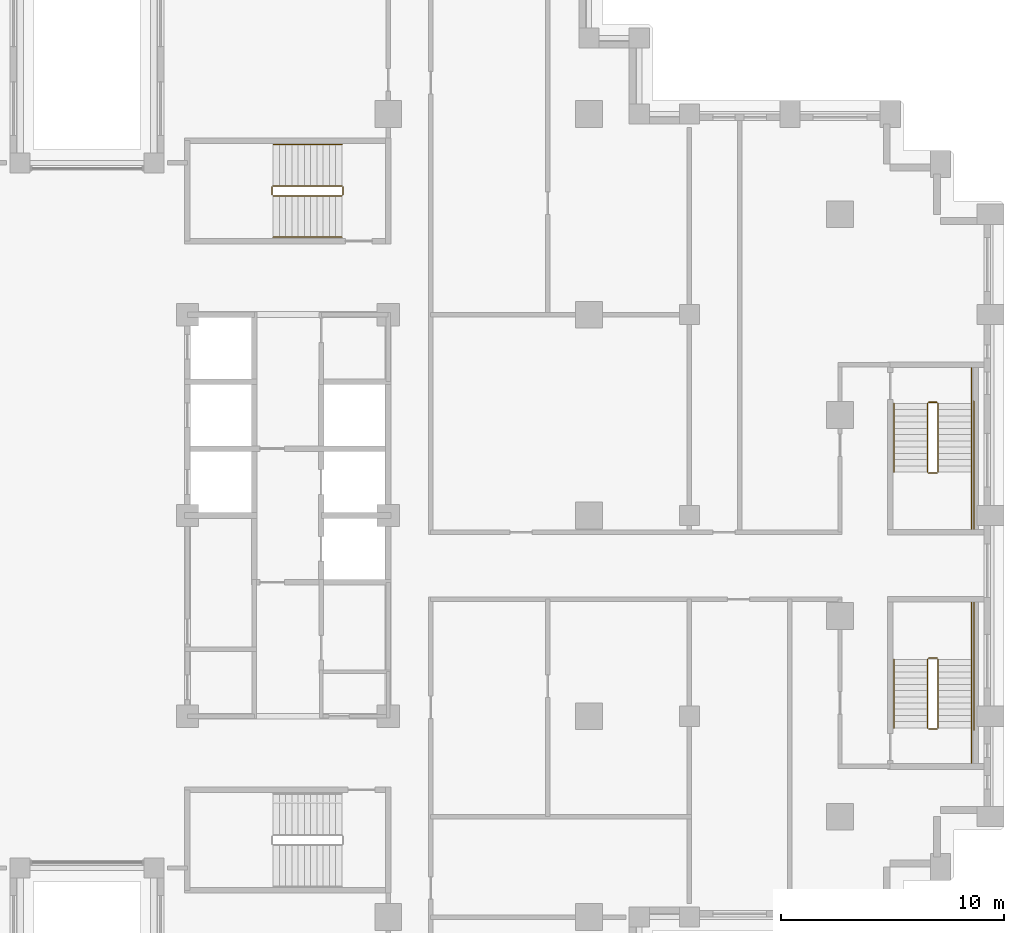
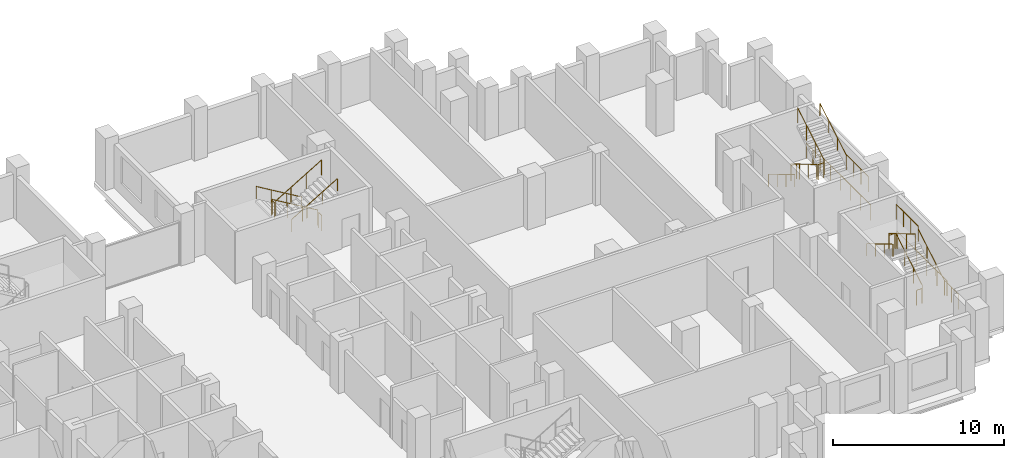
# One storey, part 16 of 16: 3 railings.
"""IFC4 building model written with IfcOpenShell, lengths in metres."""

from ifc_helpers import new_model, si_unit, direction, frame, origin, origin_2d, place, context, subcontext, project, spatial, circle, extrude, material, type_object, element, save


model = new_model("IFC4")

# Units and contexts
model_context = context("Model", 3, precision=1e-05, world=origin(), true_north=direction((0.0, 1.0)))
body_context = subcontext(model_context, "Body", "Model", "MODEL_VIEW")
ifc_project = project(units=[si_unit("LENGTHUNIT", "METRE"), si_unit("AREAUNIT", "SQUARE_METRE"), si_unit("VOLUMEUNIT", "CUBIC_METRE"), si_unit("PLANEANGLEUNIT", "RADIAN"), si_unit("MASSUNIT", "GRAM", prefix="KILO")], contexts=[model_context])

# Site, building, storey
site_placement = place(None, origin())
site = spatial("IfcSite", under=ifc_project, at=site_placement, CompositionType="ELEMENT")
building_placement = place(site_placement, origin())
building = spatial("IfcBuilding", under=site, at=building_placement, Name="Corbelhall Arena Tower", CompositionType="ELEMENT")
storey_placement = place(building_placement, frame((0.0, 0.0, 104.0)))
storey = spatial("IfcBuildingStorey", under=building, at=storey_placement, Name="L18", CompositionType="ELEMENT", Elevation=104.0)

# Railings
ifc_material = material(Name="Steel ASTM A500 Gr C", Category="steel")
railing_type = type_object("IfcRailingType", Name="IN-GD-1100", PredefinedType="GUARDRAIL", material=ifc_material)
railing_1_placement = place(storey_placement, frame((11.425048828125, 14.77490234375, 0.166748046875)))
element("IfcRailing", 1, at=railing_1_placement, inside=storey, type_object=railing_type, Name="L18 ST3 stair guards and handrails", PredefinedType="GUARDRAIL", context=body_context, shape_type="SweptSolid", body=[
    extrude(circle(Radius=0.02392578125, at=origin_2d()), frame((0.0, 0.0, 1.076171875), z_axis=(-0.859308565015, 0.0, 0.511457515432), x_axis=(0.0, -1.0, 0.0)), (0.0, 0.0, 1.0), 3.58447265625),
    extrude(circle(Radius=0.02392578125, at=origin_2d()), frame((-3.130126953125, -0.0498046875, 2.9091796875), z_axis=(0.0, -1.0, 0.0), x_axis=(1.0, 0.0, 0.0)), (0.0, 0.0, 1.0), 0.35009765625),
    extrude(circle(Radius=0.02392578125, at=origin_2d()), frame((-3.080078125, -0.449951171875, 3.076171875), z_axis=(0.859308565015, 0.0, 0.511457515432), x_axis=(0.0, 1.0, 0.0)), (0.0, 0.0, 1.0), 3.58447265625),
    extrude(circle(Radius=0.02392578125, at=origin_2d()), frame((0.050048828125, -0.0498046875, 0.9091796875), z_axis=(0.0, -1.0, 0.0), x_axis=(1.0, 0.0, 0.0)), (0.0, 0.0, 1.0), 0.35009765625),
    extrude(circle(Radius=0.02392578125, at=origin_2d()), frame((0.0, 1.85009765625, 0.8759765625), z_axis=(-0.859308565015, 0.0, 0.511457515432), x_axis=(0.0, -1.0, 0.0)), (0.0, 0.0, 1.0), 3.58447265625),
    extrude(circle(Radius=0.02392578125, at=origin_2d()), frame((-3.080078125, -2.2998046875, 2.8759765625), z_axis=(0.859308565015, 0.0, 0.511457515432), x_axis=(0.0, 1.0, 0.0)), (0.0, 0.0, 1.0), 3.58447265625),
    extrude(circle(Radius=0.02099609375, at=origin_2d()), origin(), (0.0, 0.0, 1.0), 1.052001953125),
    extrude(circle(Radius=0.02099609375, at=origin_2d()), frame((-1.026611328125, 0.0, 0.611083984375)), (0.0, 0.0, 1.0), 1.052001953125),
    extrude(circle(Radius=0.02099609375, at=origin_2d()), frame((-2.053466796875, 0.0, 1.22216796875)), (0.0, 0.0, 1.0), 1.052001953125),
    extrude(circle(Radius=0.02099609375, at=origin_2d()), frame((-3.080078125, 0.0, 1.833251953125)), (0.0, 0.0, 1.0), 1.052001953125),
    extrude(circle(Radius=0.02099609375, at=origin_2d()), frame((-3.130126953125, -0.0498046875, 1.833251953125)), (0.0, 0.0, 1.0), 1.052001953125),
    extrude(circle(Radius=0.02099609375, at=origin_2d()), frame((-3.130126953125, -0.39990234375, 1.833251953125)), (0.0, 0.0, 1.0), 1.052001953125),
    extrude(circle(Radius=0.02099609375, at=origin_2d()), frame((-3.080078125, -0.449951171875, 2.0)), (0.0, 0.0, 1.0), 1.052001953125),
    extrude(circle(Radius=0.02099609375, at=origin_2d()), frame((-2.053466796875, -0.449951171875, 2.611083984375)), (0.0, 0.0, 1.0), 1.052001953125),
    extrude(circle(Radius=0.02099609375, at=origin_2d()), frame((-1.026611328125, -0.449951171875, 3.22216796875)), (0.0, 0.0, 1.0), 1.052001953125),
    extrude(circle(Radius=0.02099609375, at=origin_2d()), frame((0.0, -0.449951171875, 3.833251953125)), (0.0, 0.0, 1.0), 1.052001953125),
    extrude(circle(Radius=0.02099609375, at=origin_2d()), frame((0.050048828125, -0.0498046875, -0.166748046875)), (0.0, 0.0, 1.0), 1.052001953125),
    extrude(circle(Radius=0.02099609375, at=origin_2d()), frame((0.050048828125, -0.39990234375, -0.166748046875)), (0.0, 0.0, 1.0), 1.052001953125),
    extrude(circle(Radius=0.02099609375, at=origin_2d()), frame((0.0, 1.85009765625, 0.0)), (0.0, 0.0, 1.0), 0.851806640625),
    extrude(circle(Radius=0.02099609375, at=origin_2d()), frame((-1.026611328125, 1.85009765625, 0.611083984375)), (0.0, 0.0, 1.0), 0.851806640625),
    extrude(circle(Radius=0.02099609375, at=origin_2d()), frame((-2.053466796875, 1.85009765625, 1.22216796875)), (0.0, 0.0, 1.0), 0.851806640625),
    extrude(circle(Radius=0.02099609375, at=origin_2d()), frame((-3.080078125, 1.85009765625, 1.833251953125)), (0.0, 0.0, 1.0), 0.851806640625),
    extrude(circle(Radius=0.02099609375, at=origin_2d()), frame((-3.080078125, -2.2998046875, 2.0)), (0.0, 0.0, 1.0), 0.851806640625),
    extrude(circle(Radius=0.02099609375, at=origin_2d()), frame((-2.053466796875, -2.2998046875, 2.611083984375)), (0.0, 0.0, 1.0), 0.851806640625),
    extrude(circle(Radius=0.02099609375, at=origin_2d()), frame((-1.026611328125, -2.2998046875, 3.22216796875)), (0.0, 0.0, 1.0), 0.851806640625),
    extrude(circle(Radius=0.02099609375, at=origin_2d()), frame((0.0, -2.2998046875, 3.833251953125)), (0.0, 0.0, 1.0), 0.851806640625),
])
railing_2_placement = place(storey_placement, frame((38.14990234375, -9.52490234375, 0.166748046875)))
element("IfcRailing", 2, at=railing_2_placement, inside=storey, type_object=railing_type, Name="L18 SD1 stair guards and handrails", PredefinedType="GUARDRAIL", context=body_context, shape_type="SweptSolid", body=[
    extrude(circle(Radius=0.02392578125, at=origin_2d()), frame((0.0, 0.0, 1.076171875), z_axis=(0.0, 0.859290745958, 0.51148745235), x_axis=(-1.0, 0.0, 0.0)), (0.0, 0.0, 1.0), 3.584228515625),
    extrude(circle(Radius=0.02392578125, at=origin_2d()), frame((-0.0498046875, 3.1298828125, 2.9091796875), z_axis=(-1.0, 0.0, 0.0), x_axis=(0.0, -1.0, 0.0)), (0.0, 0.0, 1.0), 0.375),
    extrude(circle(Radius=0.02392578125, at=origin_2d()), frame((1.5, 3.079833984375, 2.9091796875), z_axis=(0.0, 1.0, 0.0), x_axis=(-1.0, 0.0, 0.0)), (0.0, 0.0, 1.0), 2.570068359375),
    extrude(circle(Radius=0.02392578125, at=origin_2d()), frame((-0.474853515625, 3.079833984375, 3.076171875), z_axis=(0.0, -0.859290745958, 0.51148745235), x_axis=(1.0, 0.0, 0.0)), (0.0, 0.0, 1.0), 3.584228515625),
    extrude(circle(Radius=0.02392578125, at=origin_2d()), frame((-0.0498046875, -0.050048828125, 0.9091796875), z_axis=(-1.0, 0.0, 0.0), x_axis=(0.0, -1.0, 0.0)), (0.0, 0.0, 1.0), 0.375),
    extrude(circle(Radius=0.02392578125, at=origin_2d()), frame((1.5, -1.60009765625, 0.9091796875), z_axis=(0.0, 1.0, 0.0), x_axis=(-1.0, 0.0, 0.0)), (0.0, 0.0, 1.0), 1.60009765625),
    extrude(circle(Radius=0.02392578125, at=origin_2d()), frame((1.60009765625, -0.10009765625, 0.9091796875), z_axis=(0.0, 1.0, 0.0), x_axis=(-1.0, 0.0, 0.0)), (0.0, 0.0, 1.0), 5.85009765625),
    extrude(circle(Radius=0.02392578125, at=origin_2d()), frame((1.5, 0.0, 0.8759765625), z_axis=(0.0, 0.859290745958, 0.51148745235), x_axis=(-1.0, 0.0, 0.0)), (0.0, 0.0, 1.0), 3.584228515625),
    extrude(circle(Radius=0.02392578125, at=origin_2d()), frame((-1.974853515625, 3.079833984375, 2.8759765625), z_axis=(0.0, -0.859290745958, 0.51148745235), x_axis=(1.0, 0.0, 0.0)), (0.0, 0.0, 1.0), 3.584228515625),
    extrude(circle(Radius=0.02099609375, at=origin_2d()), origin(), (0.0, 0.0, 1.0), 1.052001953125),
    extrude(circle(Radius=0.02099609375, at=origin_2d()), frame((0.0, 1.026611328125, 0.611083984375)), (0.0, 0.0, 1.0), 1.052001953125),
    extrude(circle(Radius=0.02099609375, at=origin_2d()), frame((0.0, 2.05322265625, 1.22216796875)), (0.0, 0.0, 1.0), 1.052001953125),
    extrude(circle(Radius=0.02099609375, at=origin_2d()), frame((0.0, 3.079833984375, 1.833251953125)), (0.0, 0.0, 1.0), 1.052001953125),
    extrude(circle(Radius=0.02099609375, at=origin_2d()), frame((-0.0498046875, 3.1298828125, 1.833251953125)), (0.0, 0.0, 1.0), 1.052001953125),
    extrude(circle(Radius=0.02099609375, at=origin_2d()), frame((-0.4248046875, 3.1298828125, 1.833251953125)), (0.0, 0.0, 1.0), 1.052001953125),
    extrude(circle(Radius=0.02099609375, at=origin_2d()), frame((1.5, 3.079833984375, 1.833251953125)), (0.0, 0.0, 1.0), 1.052001953125),
    extrude(circle(Radius=0.02099609375, at=origin_2d()), frame((1.5, 3.9365234375, 1.833251953125)), (0.0, 0.0, 1.0), 1.052001953125),
    extrude(circle(Radius=0.02099609375, at=origin_2d()), frame((1.5, 4.793212890625, 1.833251953125)), (0.0, 0.0, 1.0), 1.052001953125),
    extrude(circle(Radius=0.02099609375, at=origin_2d()), frame((1.5, 5.64990234375, 1.833251953125)), (0.0, 0.0, 1.0), 1.052001953125),
    extrude(circle(Radius=0.02099609375, at=origin_2d()), frame((-0.474853515625, 3.079833984375, 2.0)), (0.0, 0.0, 1.0), 1.052001953125),
    extrude(circle(Radius=0.02099609375, at=origin_2d()), frame((-0.474853515625, 2.05322265625, 2.611083984375)), (0.0, 0.0, 1.0), 1.052001953125),
    extrude(circle(Radius=0.02099609375, at=origin_2d()), frame((-0.474853515625, 1.026611328125, 3.22216796875)), (0.0, 0.0, 1.0), 1.052001953125),
    extrude(circle(Radius=0.02099609375, at=origin_2d()), frame((-0.474853515625, 0.0, 3.833251953125)), (0.0, 0.0, 1.0), 1.052001953125),
    extrude(circle(Radius=0.02099609375, at=origin_2d()), frame((-0.0498046875, -0.050048828125, -0.166748046875)), (0.0, 0.0, 1.0), 1.052001953125),
    extrude(circle(Radius=0.02099609375, at=origin_2d()), frame((-0.4248046875, -0.050048828125, -0.166748046875)), (0.0, 0.0, 1.0), 1.052001953125),
    extrude(circle(Radius=0.02099609375, at=origin_2d()), frame((1.5, -1.60009765625, -0.166748046875)), (0.0, 0.0, 1.0), 1.052001953125),
    extrude(circle(Radius=0.02099609375, at=origin_2d()), frame((1.5, -0.800048828125, -0.166748046875)), (0.0, 0.0, 1.0), 1.052001953125),
    extrude(circle(Radius=0.02099609375, at=origin_2d()), frame((1.5, 0.0, -0.166748046875)), (0.0, 0.0, 1.0), 1.052001953125),
    extrude(circle(Radius=0.02099609375, at=origin_2d()), frame((1.60009765625, -0.10009765625, -0.166748046875)), (0.0, 0.0, 1.0), 1.052001953125),
    extrude(circle(Radius=0.02099609375, at=origin_2d()), frame((1.60009765625, 1.06982421875, -0.166748046875)), (0.0, 0.0, 1.0), 1.052001953125),
    extrude(circle(Radius=0.02099609375, at=origin_2d()), frame((1.60009765625, 2.239990234375, -0.166748046875)), (0.0, 0.0, 1.0), 1.052001953125),
    extrude(circle(Radius=0.02099609375, at=origin_2d()), frame((1.60009765625, 3.409912109375, -0.166748046875)), (0.0, 0.0, 1.0), 1.052001953125),
    extrude(circle(Radius=0.02099609375, at=origin_2d()), frame((1.60009765625, 4.580078125, -0.166748046875)), (0.0, 0.0, 1.0), 1.052001953125),
    extrude(circle(Radius=0.02099609375, at=origin_2d()), frame((1.60009765625, 5.75, -0.166748046875)), (0.0, 0.0, 1.0), 1.052001953125),
    extrude(circle(Radius=0.02099609375, at=origin_2d()), frame((1.5, 0.0, 0.0)), (0.0, 0.0, 1.0), 0.851806640625),
    extrude(circle(Radius=0.02099609375, at=origin_2d()), frame((1.5, 1.026611328125, 0.611083984375)), (0.0, 0.0, 1.0), 0.851806640625),
    extrude(circle(Radius=0.02099609375, at=origin_2d()), frame((1.5, 2.05322265625, 1.22216796875)), (0.0, 0.0, 1.0), 0.851806640625),
    extrude(circle(Radius=0.02099609375, at=origin_2d()), frame((-1.974853515625, 3.079833984375, 2.0)), (0.0, 0.0, 1.0), 0.851806640625),
    extrude(circle(Radius=0.02099609375, at=origin_2d()), frame((-1.974853515625, 2.05322265625, 2.611083984375)), (0.0, 0.0, 1.0), 0.851806640625),
    extrude(circle(Radius=0.02099609375, at=origin_2d()), frame((-1.974853515625, 1.026611328125, 3.22216796875)), (0.0, 0.0, 1.0), 0.851806640625),
    extrude(circle(Radius=0.02099609375, at=origin_2d()), frame((-1.974853515625, 0.0, 3.833251953125)), (0.0, 0.0, 1.0), 0.851806640625),
])
railing_3_placement = place(storey_placement, frame((37.675048828125, 5.02490234375, 0.166748046875)))
element("IfcRailing", 3, at=railing_3_placement, inside=storey, type_object=railing_type, Name="L18 SD2 stair guards and handrails", PredefinedType="GUARDRAIL", context=body_context, shape_type="SweptSolid", body=[
    extrude(circle(Radius=0.02392578125, at=origin_2d()), frame((0.0, 0.0, 1.076171875), z_axis=(0.0, -0.859290745958, 0.51148745235), x_axis=(1.0, 0.0, 0.0)), (0.0, 0.0, 1.0), 3.584228515625),
    extrude(circle(Radius=0.02392578125, at=origin_2d()), frame((0.050048828125, -3.1298828125, 2.9091796875), z_axis=(1.0, 0.0, 0.0), x_axis=(0.0, 1.0, 0.0)), (0.0, 0.0, 1.0), 0.375),
    extrude(circle(Radius=0.02392578125, at=origin_2d()), frame((1.974853515625, -3.079833984375, 2.9091796875), z_axis=(0.0, -1.0, 0.0), x_axis=(1.0, 0.0, 0.0)), (0.0, 0.0, 1.0), 2.570068359375),
    extrude(circle(Radius=0.02392578125, at=origin_2d()), frame((0.474853515625, -3.079833984375, 3.076171875), z_axis=(0.0, 0.859290745958, 0.51148745235), x_axis=(-1.0, 0.0, 0.0)), (0.0, 0.0, 1.0), 3.584228515625),
    extrude(circle(Radius=0.02392578125, at=origin_2d()), frame((0.050048828125, 0.050048828125, 0.9091796875), z_axis=(1.0, 0.0, 0.0), x_axis=(0.0, 1.0, 0.0)), (0.0, 0.0, 1.0), 0.375),
    extrude(circle(Radius=0.02392578125, at=origin_2d()), frame((1.974853515625, 1.60009765625, 0.9091796875), z_axis=(0.0, -1.0, 0.0), x_axis=(1.0, 0.0, 0.0)), (0.0, 0.0, 1.0), 1.60009765625),
    extrude(circle(Radius=0.02392578125, at=origin_2d()), frame((2.074951171875, 0.10009765625, 0.9091796875), z_axis=(0.0, -1.0, 0.0), x_axis=(1.0, 0.0, 0.0)), (0.0, 0.0, 1.0), 5.85009765625),
    extrude(circle(Radius=0.02392578125, at=origin_2d()), frame((-1.5, 0.0, 0.8759765625), z_axis=(0.0, -0.859290745958, 0.51148745235), x_axis=(1.0, 0.0, 0.0)), (0.0, 0.0, 1.0), 3.584228515625),
    extrude(circle(Radius=0.02392578125, at=origin_2d()), frame((1.974853515625, -3.079833984375, 2.8759765625), z_axis=(0.0, 0.859290745958, 0.51148745235), x_axis=(-1.0, 0.0, 0.0)), (0.0, 0.0, 1.0), 3.584228515625),
    extrude(circle(Radius=0.02099609375, at=origin_2d()), origin(), (0.0, 0.0, 1.0), 1.052001953125),
    extrude(circle(Radius=0.02099609375, at=origin_2d()), frame((0.0, -1.026611328125, 0.611083984375)), (0.0, 0.0, 1.0), 1.052001953125),
    extrude(circle(Radius=0.02099609375, at=origin_2d()), frame((0.0, -2.05322265625, 1.22216796875)), (0.0, 0.0, 1.0), 1.052001953125),
    extrude(circle(Radius=0.02099609375, at=origin_2d()), frame((0.0, -3.079833984375, 1.833251953125)), (0.0, 0.0, 1.0), 1.052001953125),
    extrude(circle(Radius=0.02099609375, at=origin_2d()), frame((0.050048828125, -3.1298828125, 1.833251953125)), (0.0, 0.0, 1.0), 1.052001953125),
    extrude(circle(Radius=0.02099609375, at=origin_2d()), frame((0.425048828125, -3.1298828125, 1.833251953125)), (0.0, 0.0, 1.0), 1.052001953125),
    extrude(circle(Radius=0.02099609375, at=origin_2d()), frame((1.974853515625, -3.079833984375, 1.833251953125)), (0.0, 0.0, 1.0), 1.052001953125),
    extrude(circle(Radius=0.02099609375, at=origin_2d()), frame((1.974853515625, -3.9365234375, 1.833251953125)), (0.0, 0.0, 1.0), 1.052001953125),
    extrude(circle(Radius=0.02099609375, at=origin_2d()), frame((1.974853515625, -4.793212890625, 1.833251953125)), (0.0, 0.0, 1.0), 1.052001953125),
    extrude(circle(Radius=0.02099609375, at=origin_2d()), frame((1.974853515625, -5.64990234375, 1.833251953125)), (0.0, 0.0, 1.0), 1.052001953125),
    extrude(circle(Radius=0.02099609375, at=origin_2d()), frame((0.474853515625, -3.079833984375, 2.0)), (0.0, 0.0, 1.0), 1.052001953125),
    extrude(circle(Radius=0.02099609375, at=origin_2d()), frame((0.474853515625, -2.05322265625, 2.611083984375)), (0.0, 0.0, 1.0), 1.052001953125),
    extrude(circle(Radius=0.02099609375, at=origin_2d()), frame((0.474853515625, -1.026611328125, 3.22216796875)), (0.0, 0.0, 1.0), 1.052001953125),
    extrude(circle(Radius=0.02099609375, at=origin_2d()), frame((0.474853515625, 0.0, 3.833251953125)), (0.0, 0.0, 1.0), 1.052001953125),
    extrude(circle(Radius=0.02099609375, at=origin_2d()), frame((0.050048828125, 0.050048828125, -0.166748046875)), (0.0, 0.0, 1.0), 1.052001953125),
    extrude(circle(Radius=0.02099609375, at=origin_2d()), frame((0.425048828125, 0.050048828125, -0.166748046875)), (0.0, 0.0, 1.0), 1.052001953125),
    extrude(circle(Radius=0.02099609375, at=origin_2d()), frame((1.974853515625, 1.60009765625, -0.166748046875)), (0.0, 0.0, 1.0), 1.052001953125),
    extrude(circle(Radius=0.02099609375, at=origin_2d()), frame((1.974853515625, 0.800048828125, -0.166748046875)), (0.0, 0.0, 1.0), 1.052001953125),
    extrude(circle(Radius=0.02099609375, at=origin_2d()), frame((1.974853515625, 0.0, -0.166748046875)), (0.0, 0.0, 1.0), 1.052001953125),
    extrude(circle(Radius=0.02099609375, at=origin_2d()), frame((2.074951171875, 0.10009765625, -0.166748046875)), (0.0, 0.0, 1.0), 1.052001953125),
    extrude(circle(Radius=0.02099609375, at=origin_2d()), frame((2.074951171875, -1.06982421875, -0.166748046875)), (0.0, 0.0, 1.0), 1.052001953125),
    extrude(circle(Radius=0.02099609375, at=origin_2d()), frame((2.074951171875, -2.239990234375, -0.166748046875)), (0.0, 0.0, 1.0), 1.052001953125),
    extrude(circle(Radius=0.02099609375, at=origin_2d()), frame((2.074951171875, -3.409912109375, -0.166748046875)), (0.0, 0.0, 1.0), 1.052001953125),
    extrude(circle(Radius=0.02099609375, at=origin_2d()), frame((2.074951171875, -4.580078125, -0.166748046875)), (0.0, 0.0, 1.0), 1.052001953125),
    extrude(circle(Radius=0.02099609375, at=origin_2d()), frame((2.074951171875, -5.75, -0.166748046875)), (0.0, 0.0, 1.0), 1.052001953125),
    extrude(circle(Radius=0.02099609375, at=origin_2d()), frame((-1.5, 0.0, 0.0)), (0.0, 0.0, 1.0), 0.851806640625),
    extrude(circle(Radius=0.02099609375, at=origin_2d()), frame((-1.5, -1.026611328125, 0.611083984375)), (0.0, 0.0, 1.0), 0.851806640625),
    extrude(circle(Radius=0.02099609375, at=origin_2d()), frame((-1.5, -2.05322265625, 1.22216796875)), (0.0, 0.0, 1.0), 0.851806640625),
    extrude(circle(Radius=0.02099609375, at=origin_2d()), frame((-1.5, -3.079833984375, 1.833251953125)), (0.0, 0.0, 1.0), 0.851806640625),
    extrude(circle(Radius=0.02099609375, at=origin_2d()), frame((1.974853515625, -3.079833984375, 2.0)), (0.0, 0.0, 1.0), 0.851806640625),
    extrude(circle(Radius=0.02099609375, at=origin_2d()), frame((1.974853515625, -2.05322265625, 2.611083984375)), (0.0, 0.0, 1.0), 0.851806640625),
    extrude(circle(Radius=0.02099609375, at=origin_2d()), frame((1.974853515625, -1.026611328125, 3.22216796875)), (0.0, 0.0, 1.0), 0.851806640625),
    extrude(circle(Radius=0.02099609375, at=origin_2d()), frame((1.974853515625, 0.0, 3.833251953125)), (0.0, 0.0, 1.0), 0.851806640625),
])

save(model, "model.ifc")
